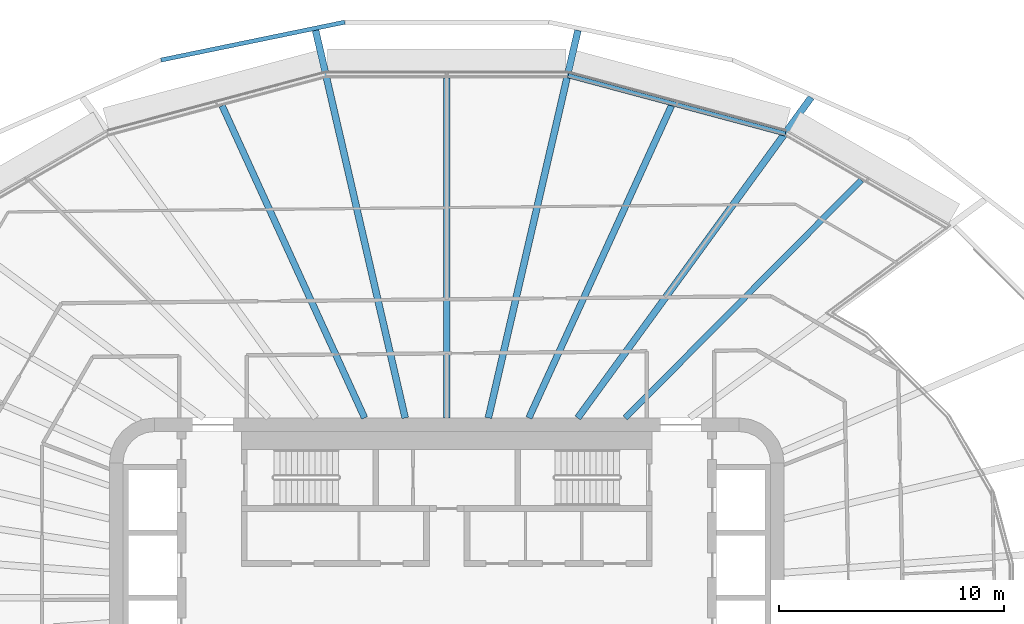
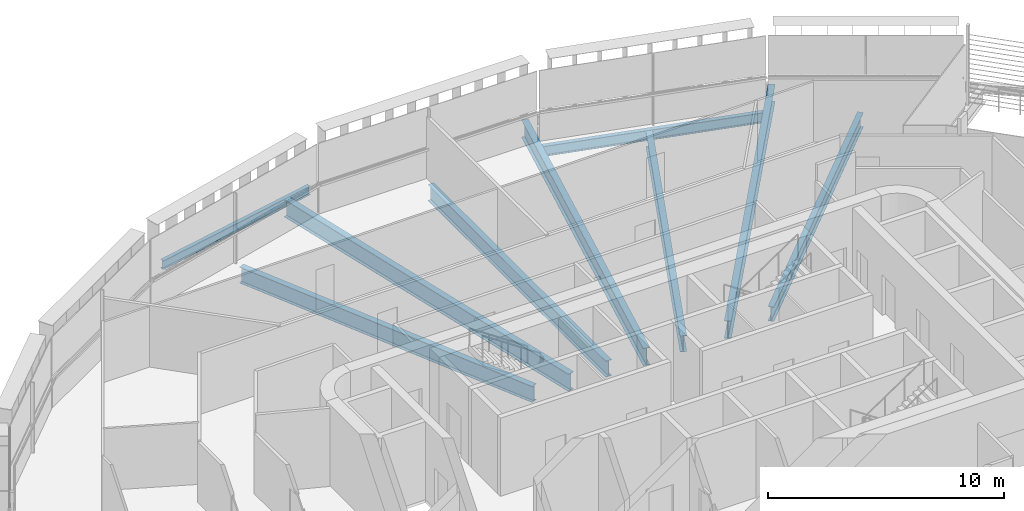
# One storey, part 8 of 24: 9 beams.
"""IFC4 building model written with IfcOpenShell, lengths in metres."""

import ifcopenshell
import ifcopenshell.guid

model = None  # the IFC model being written
_history = None  # IfcOwnerHistory: only IFC2X3 demands one
_inside = {}  # id of a spatial element -> (the spatial element, [elements in it])
_under = {}  # id of a project, library or spatial element -> (it, [spatial elements below it])
_declared = {}  # id of a project -> (the project, [libraries it declares])
_typed = {}  # id of a type object -> (the type object, [elements of that type])
_made_of = {}  # id of a material, layer set ... -> (it, [elements and type objects made of it])


def new_model(schema):
    """Start an empty IFC model of exactly this schema.

    Asked for "IFC4X3", IfcOpenShell would pick the latest addendum, in which some entities
    have other attributes; the version numbers below select the first issue.
    IFC2X3 requires an IfcOwnerHistory on every rooted entity: one is made here for all.
    """
    global model, _history
    if schema == "IFC4X3":
        model = ifcopenshell.file(schema_version=(4, 3, 0, 0))
    else:
        model = ifcopenshell.file(schema=schema)
    _inside.clear()
    _under.clear()
    _declared.clear()
    _typed.clear()
    _made_of.clear()
    _history = None
    if model.schema == "IFC2X3":
        org = make("IfcOrganization", Name="unknown")
        user = make(
            "IfcPersonAndOrganization",
            ThePerson=make("IfcPerson", FamilyName="unknown"),
            TheOrganization=org,
        )
        app = make(
            "IfcApplication",
            ApplicationDeveloper=org,
            Version="unknown",
            ApplicationFullName="unknown",
            ApplicationIdentifier="unknown",
        )
        _history = make(
            "IfcOwnerHistory",
            OwningUser=user,
            OwningApplication=app,
            ChangeAction="ADDED",
            CreationDate=0,
        )
    return model


def make(cls, **values):
    """One entity of the class cls with the attributes given. An attribute that is None is left unset."""
    return model.create_entity(
        cls, **{name: value for name, value in values.items() if value is not None}
    )


def rooted(cls, **values):
    """An entity with a GlobalId (a new one), such as an element, a storey or a relation."""
    return make(cls, GlobalId=ifcopenshell.guid.new(), OwnerHistory=_history, **values)


def si_unit(unit_type, name, prefix=None):
    """IfcSIUnit, for example si_unit("LENGTHUNIT", "METRE", prefix="MILLI")."""
    return make("IfcSIUnit", UnitType=unit_type, Prefix=prefix, Name=name)


def assignment(units):
    """IfcUnitAssignment: the units of a project."""
    return None if units is None else make("IfcUnitAssignment", Units=units)


def point(xyz):
    """IfcCartesianPoint."""
    return None if xyz is None else make("IfcCartesianPoint", Coordinates=xyz)


def direction(xyz):
    """IfcDirection."""
    return None if xyz is None else make("IfcDirection", DirectionRatios=xyz)


def frame(location, z_axis=None, x_axis=None):
    """IfcAxis2Placement3D, a coordinate frame: its origin and axes. An axis left out is left unset."""
    return make(
        "IfcAxis2Placement3D",
        Location=point(location),
        Axis=direction(z_axis),
        RefDirection=direction(x_axis),
    )


def frame_2d(location, x_axis=None):
    """IfcAxis2Placement2D, a coordinate frame in the plane: its origin and x axis."""
    return make(
        "IfcAxis2Placement2D", Location=point(location), RefDirection=direction(x_axis)
    )


def origin():
    """The frame at (0, 0, 0) with its axes left unset."""
    return frame((0.0, 0.0, 0.0))


def origin_2d():
    """The frame at (0, 0) in the plane with its x axis left unset."""
    return frame_2d((0.0, 0.0))


def place(relative_to, where):
    """IfcLocalPlacement: puts the frame where relative to a parent placement (None: the world)."""
    return make(
        "IfcLocalPlacement", PlacementRelTo=relative_to, RelativePlacement=where
    )


def context(
    kind, dimensions, precision=None, world=None, true_north=None, identifier=None
):
    """IfcGeometricRepresentationContext, for example the 3D "Model" context."""
    return make(
        "IfcGeometricRepresentationContext",
        ContextIdentifier=identifier,
        ContextType=kind,
        CoordinateSpaceDimension=dimensions,
        Precision=precision,
        WorldCoordinateSystem=world,
        TrueNorth=true_north,
    )


def subcontext(parent, identifier, kind, view, scale=None):
    """IfcGeometricRepresentationSubContext, for example "Body" below "Model"."""
    return make(
        "IfcGeometricRepresentationSubContext",
        ContextIdentifier=identifier,
        ContextType=kind,
        ParentContext=parent,
        TargetScale=scale,
        TargetView=view,
    )


def project(units=None, contexts=None):
    """IfcProject with its units and contexts."""
    return rooted(
        "IfcProject",
        Name="project",
        RepresentationContexts=contexts,
        UnitsInContext=assignment(units),
    )


def spatial(cls, under=None, at=None, **own):
    """A site, building, storey or space (cls), placed at a placement, below another one or the project."""
    s = rooted(cls, ObjectPlacement=at, **own)
    if under is not None:
        _under.setdefault(under.id(), (under, []))[1].append(s)
    return s


def profile(cls, at=None, kind="AREA", **sizes):
    """A parametric profile (cls). Its sizes go by their IFC names, for example OverallWidth=200.0."""
    return make(cls, ProfileType=kind, Position=at, **sizes)


def i_section(**sizes):
    """IfcIShapeProfileDef."""
    return profile("IfcIShapeProfileDef", **sizes)


def extrude(swept, where, along, depth):
    """IfcExtrudedAreaSolid: the profile swept, set in the frame where, extruded along a direction by depth."""
    return make(
        "IfcExtrudedAreaSolid",
        SweptArea=swept,
        Position=where,
        ExtrudedDirection=direction(along),
        Depth=depth,
    )


def shape(context_of_items, identifier, shape_type, items):
    """IfcShapeRepresentation: the items that make up one representation, for example the "Body"."""
    return make(
        "IfcShapeRepresentation",
        ContextOfItems=context_of_items,
        RepresentationIdentifier=identifier,
        RepresentationType=shape_type,
        Items=items,
    )


def material(Name=None, Category=None):
    """IfcMaterial."""
    return make("IfcMaterial", Name=Name, Category=Category)


def material_profile(
    of_material, cross_section, Name=None, Category=None, Priority=None
):
    """IfcMaterialProfile: a cross section and its material."""
    return make(
        "IfcMaterialProfile",
        Name=Name,
        Material=of_material,
        Profile=cross_section,
        Priority=Priority,
        Category=Category,
    )


def profile_set(profiles, Name=None, composite=None):
    """IfcMaterialProfileSet."""
    return make(
        "IfcMaterialProfileSet",
        Name=Name,
        MaterialProfiles=profiles,
        CompositeProfile=composite,
    )


def made_of(thing, what):
    """Note that an element or type object is made of a material, layer set ...; save() writes the relation."""
    if what is not None:
        _made_of.setdefault(what.id(), (what, []))[1].append(thing)
    return thing


def type_object(cls, material=None, **own):
    """A type object (cls), such as IfcWallType, which elements share."""
    return made_of(rooted(cls, **own), material)


def element(
    cls,
    number,
    at=None,
    inside=None,
    cuts=None,
    type_object=None,
    material=None,
    context=None,
    identifier="Body",
    shape_type=None,
    held_by="IfcProductDefinitionShape",
    body=None,
    shapes=None,
    **own,
):
    """One element of the class cls, such as IfcWall. Its Tag is "e" and its number.

    at: its placement. inside: the storey or other place that contains it. cuts: it is an
    opening in that element (IfcRelVoidsElement). A single representation is given by context,
    identifier, shape_type and body (its items); several are given by shapes. held_by: the class
    of the entity that holds the representations. save() writes the other relations.
    """
    e = rooted(cls, Tag="e%d" % number, ObjectPlacement=at, **own)
    if body is not None:
        shapes = [shape(context, identifier, shape_type, body)]
    if shapes is not None:
        e.Representation = make(held_by, Representations=shapes)
    if inside is not None:
        _inside.setdefault(inside.id(), (inside, []))[1].append(e)
    if cuts is not None:
        rooted(
            "IfcRelVoidsElement", RelatingBuildingElement=cuts, RelatedOpeningElement=e
        )
    if type_object is not None:
        _typed.setdefault(type_object.id(), (type_object, []))[1].append(e)
    return made_of(e, material)


def aggregate(whole, parts):
    """IfcRelAggregates: a whole, such as a stair, and the parts it consists of."""
    return rooted("IfcRelAggregates", RelatingObject=whole, RelatedObjects=parts)


def save(model, path):
    """Write the relations noted so far, then the file.

    IfcRelAggregates (storeys below a building ...), IfcRelContainedInSpatialStructure (elements
    in a storey), IfcRelDefinesByType, IfcRelAssociatesMaterial and IfcRelDeclares: one each for
    every whole, place, type object, material and project.
    """
    for whole, parts in _under.values():
        aggregate(whole, parts)
    for where, things in _inside.values():
        rooted(
            "IfcRelContainedInSpatialStructure",
            RelatedElements=things,
            RelatingStructure=where,
        )
    for kind, things in _typed.values():
        rooted("IfcRelDefinesByType", RelatedObjects=things, RelatingType=kind)
    for what, things in _made_of.values():
        rooted("IfcRelAssociatesMaterial", RelatedObjects=things, RelatingMaterial=what)
    for by, libraries in _declared.values():
        rooted("IfcRelDeclares", RelatingContext=by, RelatedDefinitions=libraries)
    model.write(path)


model = new_model("IFC4")

# Units and contexts
model_context = context("Model", 3, precision=1e-05, world=origin(), true_north=direction((0.0, 1.0)))
body_context = subcontext(model_context, "Body", "Model", "MODEL_VIEW")
ifc_project = project(units=[si_unit("LENGTHUNIT", "METRE"), si_unit("AREAUNIT", "SQUARE_METRE"), si_unit("VOLUMEUNIT", "CUBIC_METRE"), si_unit("PLANEANGLEUNIT", "RADIAN"), si_unit("MASSUNIT", "GRAM", prefix="KILO")], contexts=[model_context])

# Site, building, storey
site_placement = place(None, origin())
site = spatial("IfcSite", under=ifc_project, at=site_placement, CompositionType="ELEMENT")
building_placement = place(site_placement, origin())
building = spatial("IfcBuilding", under=site, at=building_placement, Name="Sahrelin Media Tower", CompositionType="ELEMENT")
storey_placement = place(building_placement, frame((0.0, 0.0, 71.39990234375)))
storey = spatial("IfcBuildingStorey", under=building, at=storey_placement, Name="L12", CompositionType="ELEMENT", Elevation=71.39990234375)

# Beams
ifc_material = material(Name="Steel S355", Category="steel")
ifc_material_profile_1 = material_profile(ifc_material, i_section(OverallWidth=0.208740234375, OverallDepth=0.5283203125, WebThickness=0.009521484375, FlangeThickness=0.01318359375, FilletRadius=0.0126953125, at=origin_2d()), Name="UB 533x210x82")
ifc_profile_set_1 = profile_set([ifc_material_profile_1], Name="Steel S355")
beam_type_1 = type_object("IfcBeamType", Name="Edge beam EB6", PredefinedType="BEAM", material=ifc_profile_set_1)
beam_1_placement = place(storey_placement, frame((5.39794921875, 23.220947265625, -0.4140625), z_axis=(0.965930606835, -0.258801203202, 0.0), x_axis=(0.258801203202, 0.965930606835, 0.0)))
element("IfcBeam", 1, at=beam_1_placement, inside=storey, type_object=beam_type_1, Name="Edge beam L12-19", PredefinedType="BEAM", context=body_context, shape_type="SweptSolid", body=[
    extrude(i_section(OverallWidth=0.208740234375, OverallDepth=0.5283203125, WebThickness=0.009521484375, FlangeThickness=0.01318359375, FilletRadius=0.0126953125, at=origin_2d()), origin(), (0.0, 0.0, 1.0), 9.994873046875),
])
ifc_material_profile_2 = material_profile(ifc_material, i_section(OverallWidth=0.30322265625, OverallDepth=0.903076171875, WebThickness=0.01513671875, FlangeThickness=0.020263671875, FilletRadius=0.01904296875, at=origin_2d()), Name="UB 914x305x201")
ifc_profile_set_2 = profile_set([ifc_material_profile_2], Name="Steel S355")
beam_type_2 = type_object("IfcBeamType", Name="Radial primary beam PB11", PredefinedType="BEAM", material=ifc_profile_set_2)
beam_2_placement = place(storey_placement, frame((5.8251953125, 8.0, -0.601318359375), z_axis=(0.588648282878, 0.808389262091, 0.0), x_axis=(-0.808389262091, 0.588648282878, 0.0)))
element("IfcBeam", 2, at=beam_2_placement, inside=storey, type_object=beam_type_2, Name="Radial beam L12-05", PredefinedType="BEAM", context=body_context, shape_type="SweptSolid", body=[
    extrude(i_section(OverallWidth=0.30322265625, OverallDepth=0.903076171875, WebThickness=0.01513671875, FlangeThickness=0.020263671875, FilletRadius=0.01904296875, at=origin_2d()), origin(), (0.0, 0.0, 1.0), 17.632080078125),
])
for number, where, z_axis, x_axis, name in (
    (3, (1.849365234375, 8.0, -0.601318359375), (0.225244589699, 0.974302250234, 0.0), (-0.974302250234, 0.225244589699, 0.0), "Radial beam L12-06"),
    (4, (-1.849365234375, 8.0, -0.601318359375), (-0.225244589699, 0.974302250234, 0.0), (-0.974302250234, -0.225244589699, 0.0), "Radial beam L12-07"),
):
    element("IfcBeam", number, at=place(storey_placement, frame(where, z_axis=z_axis, x_axis=x_axis)), inside=storey, type_object=beam_type_2, Name=name, PredefinedType="BEAM", context=body_context, shape_type="SweptSolid", body=[
        extrude(i_section(OverallWidth=0.30322265625, OverallDepth=0.903076171875, WebThickness=0.01513671875, FlangeThickness=0.020263671875, FilletRadius=0.01904296875, at=origin_2d()), origin(), (0.0, 0.0, 1.0), 17.68701171875),
    ])
ifc_material_profile_3 = material_profile(ifc_material, i_section(OverallWidth=0.291748046875, OverallDepth=0.8349609375, WebThickness=0.013916015625, FlangeThickness=0.018798828125, FilletRadius=0.017822265625, at=origin_2d()), Name="UB 838x292x176")
ifc_profile_set_3 = profile_set([ifc_material_profile_3], Name="Steel S355")
beam_type_3 = type_object("IfcBeamType", Name="Radial secondary beam SB10", PredefinedType="BEAM", material=ifc_profile_set_3)
beam_3_placement = place(storey_placement, frame((3.65234375, 8.0, -0.5673828125), z_axis=(0.415309042036, 0.909680383214, 0.0), x_axis=(-0.909680383214, 0.415309042036, 0.0)))
element("IfcBeam", 5, at=beam_3_placement, inside=storey, type_object=beam_type_3, Name="Secondary beam L12-02", PredefinedType="BEAM", context=body_context, shape_type="SweptSolid", body=[
    extrude(i_section(OverallWidth=0.291748046875, OverallDepth=0.8349609375, WebThickness=0.013916015625, FlangeThickness=0.018798828125, FilletRadius=0.017822265625, at=origin_2d()), origin(), (0.0, 0.0, 1.0), 15.2607421875),
])
beam_4_placement = place(storey_placement, frame((0.0, 8.0, -0.5673828125), z_axis=(0.0, 1.0, 0.0), x_axis=(-1.0, 0.0, 0.0)))
element("IfcBeam", 6, at=beam_4_placement, inside=storey, type_object=beam_type_3, Name="Secondary beam L12-03", PredefinedType="BEAM", context=body_context, shape_type="SweptSolid", body=[
    extrude(i_section(OverallWidth=0.291748046875, OverallDepth=0.8349609375, WebThickness=0.013916015625, FlangeThickness=0.018798828125, FilletRadius=0.017822265625, at=origin_2d()), origin(), (0.0, 0.0, 1.0), 15.111083984375),
])
beam_5_placement = place(storey_placement, frame((-3.65234375, 8.0, -0.5673828125), z_axis=(-0.415309042036, 0.909680383214, 0.0), x_axis=(-0.909680383214, -0.415309042036, 0.0)))
element("IfcBeam", 7, at=beam_5_placement, inside=storey, type_object=beam_type_3, Name="Secondary beam L12-04", PredefinedType="BEAM", context=body_context, shape_type="SweptSolid", body=[
    extrude(i_section(OverallWidth=0.291748046875, OverallDepth=0.8349609375, WebThickness=0.013916015625, FlangeThickness=0.018798828125, FilletRadius=0.017822265625, at=origin_2d()), origin(), (0.0, 0.0, 1.0), 15.2607421875),
])
ifc_material_profile_4 = material_profile(ifc_material, i_section(OverallWidth=0.26513671875, OverallDepth=0.75390625, WebThickness=0.0126953125, FlangeThickness=0.017578125, FilletRadius=0.0166015625, at=origin_2d()), Name="UB 762x267x147")
ifc_profile_set_4 = profile_set([ifc_material_profile_4], Name="Steel S355")
beam_type_4 = type_object("IfcBeamType", Name="Radial secondary beam SB9", PredefinedType="BEAM", material=ifc_profile_set_4)
beam_6_placement = place(storey_placement, frame((7.93798828125, 8.0, -0.52685546875), z_axis=(0.704340460364, 0.709862321788, 0.0), x_axis=(-0.709862321788, 0.704340460364, 0.0)))
element("IfcBeam", 8, at=beam_6_placement, inside=storey, type_object=beam_type_4, Name="Secondary beam L12-01", PredefinedType="BEAM", context=body_context, shape_type="SweptSolid", body=[
    extrude(i_section(OverallWidth=0.26513671875, OverallDepth=0.75390625, WebThickness=0.0126953125, FlangeThickness=0.017578125, FilletRadius=0.0166015625, at=origin_2d()), origin(), (0.0, 0.0, 1.0), 14.89990234375),
])
ifc_material_profile_5 = material_profile(ifc_material, i_section(OverallWidth=0.1904296875, OverallDepth=0.45703125, WebThickness=0.009033203125, FlangeThickness=0.014404296875, FilletRadius=0.01025390625, at=origin_2d()), Name="UB 457x191x74")
ifc_profile_set_5 = profile_set([ifc_material_profile_5], Name="Steel S355")
beam_type_5 = type_object("IfcBeamType", Name="Tie chord TC5", PredefinedType="BEAM", material=ifc_profile_set_5)
beam_7_placement = place(storey_placement, frame((-4.529296875, 25.5986328125, -0.37841796875), z_axis=(-0.979386660518, -0.201994478141, 0.0), x_axis=(0.201994478141, -0.979386660518, 0.0)))
element("IfcBeam", 9, at=beam_7_placement, inside=storey, type_object=beam_type_5, Name="Tie chord L12-07", PredefinedType="BEAM", context=body_context, shape_type="SweptSolid", body=[
    extrude(i_section(OverallWidth=0.1904296875, OverallDepth=0.45703125, WebThickness=0.009033203125, FlangeThickness=0.014404296875, FilletRadius=0.01025390625, at=origin_2d()), origin(), (0.0, 0.0, 1.0), 8.349365234375),
])

save(model, "model.ifc")
